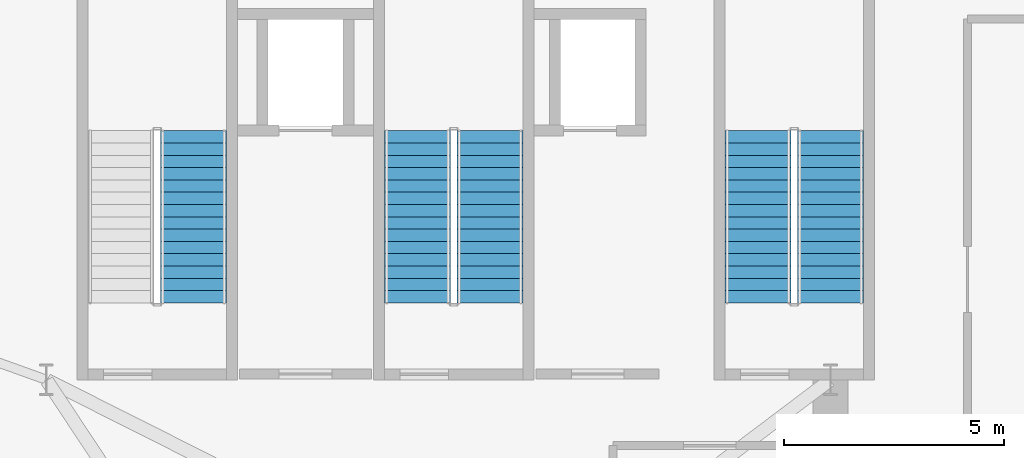
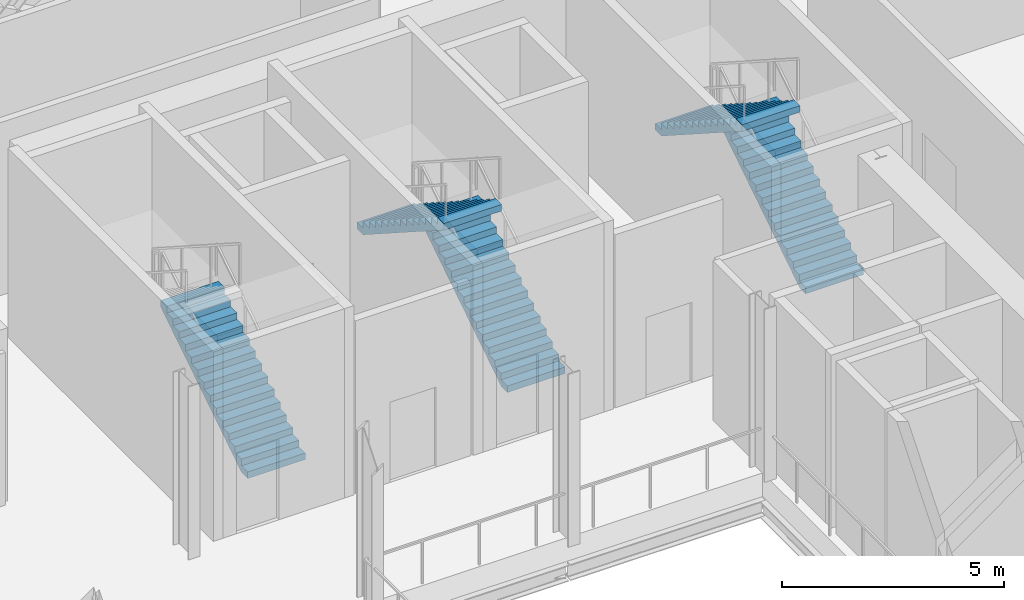
# One storey, part 11 of 14: 5 stair flights, 3 elements without a shape of their own.
"""IFC4 building model written with IfcOpenShell, lengths in metres."""

from ifc_helpers import new_model, si_unit, direction, frame, origin, place, context, subcontext, project, spatial, polyline, outline, extrude, source, transform, mapped, material, type_object, element, aggregate, save


model = new_model("IFC4")

# Units and contexts
model_context = context("Model", 3, precision=1e-05, world=origin(), true_north=direction((0.0, 1.0)))
body_context = subcontext(model_context, "Body", "Model", "MODEL_VIEW")
ifc_project = project(units=[si_unit("LENGTHUNIT", "METRE"), si_unit("AREAUNIT", "SQUARE_METRE"), si_unit("VOLUMEUNIT", "CUBIC_METRE"), si_unit("PLANEANGLEUNIT", "RADIAN"), si_unit("MASSUNIT", "GRAM", prefix="KILO")], contexts=[model_context])

# Site, building, storey
site_placement = place(None, origin())
site = spatial("IfcSite", under=ifc_project, at=site_placement, CompositionType="ELEMENT")
building_placement = place(site_placement, origin())
building = spatial("IfcBuilding", under=site, at=building_placement, Name="Vardaveli Station Tower", CompositionType="ELEMENT")
storey_placement = place(building_placement, frame((0.0, 0.0, 237.300048828125)))
storey = spatial("IfcBuildingStorey", under=building, at=storey_placement, Name="L61", CompositionType="ELEMENT", Elevation=237.300048828125)

# Stair, stair flight
ifc_material = material(Name="Concrete C40/50", Category="concrete")
stair_type = type_object("IfcStairType", Name="STR-CORE-1500", PredefinedType="HALF_TURN_STAIR", material=ifc_material)
stair_1_placement = place(storey_placement, origin())
stair_1 = element("IfcStair", 1, at=stair_1_placement, inside=storey, type_object=stair_type, Name="L61 ST-1", PredefinedType="HALF_TURN_STAIR")
stair_flight_type = type_object("IfcStairFlightType", Name="SFL-CORE-1500", PredefinedType="STRAIGHT", material=ifc_material)
shared_shape = source(origin(), body_context, "Body", "SweptSolid", [
    extrude(outline(polyline([(0.0, 0.0), (0.0, 0.179931640625), (0.280029296875, 0.179931640625), (0.280029296875, 0.360107421875), (0.56005859375, 0.360107421875), (0.56005859375, 0.5400390625), (0.840087890625, 0.5400390625), (0.840087890625, 0.719970703125), (1.1201171875, 0.719970703125), (1.1201171875, 0.89990234375), (1.39990234375, 0.89990234375), (1.39990234375, 1.080078125), (1.679931640625, 1.080078125), (1.679931640625, 1.260009765625), (1.9599609375, 1.260009765625), (1.9599609375, 1.43994140625), (2.239990234375, 1.43994140625), (2.239990234375, 1.6201171875), (2.52001953125, 1.6201171875), (2.52001953125, 1.800048828125), (2.800048828125, 1.800048828125), (2.800048828125, 1.97998046875), (3.080078125, 1.97998046875), (3.080078125, 2.159912109375), (3.360107421875, 2.159912109375), (3.360107421875, 2.340087890625), (3.639892578125, 2.340087890625), (3.639892578125, 2.52001953125), (3.919921875, 2.52001953125), (3.919921875, 2.699951171875), (3.919921875, 2.341796875), (0.277099609375, 0.0), (0.0, 0.0)])), frame((0.0, 0.75, 0.0), z_axis=(0.0, -1.0, 0.0), x_axis=(1.0, 0.0, 0.0)), (0.0, 0.0, 1.0), 1.5),
])
stair_flight_1_placement = place(storey_placement, frame((32.0, 32.39990234375, 0.0), z_axis=(0.0, 0.0, 1.0), x_axis=(0.0, 1.0, 0.0)))
stair_flight_1 = element("IfcStairFlight", 2, at=stair_flight_1_placement, type_object=stair_flight_type, Name="ST-1 flight 1", NumberOfRisers=15, NumberOfTreads=14, PredefinedType="STRAIGHT", RiserHeight=0.18, TreadLength=0.28, context=body_context, shape_type="MappedRepresentation", body=[
    mapped(shared_shape, transform((0.0, 0.0, 0.0), scale=1.0)),
])
aggregate(stair_1, [stair_flight_1])

# Stair, stair flights
stair_2_placement = place(storey_placement, origin())
stair_2 = element("IfcStair", 3, at=stair_2_placement, inside=storey, type_object=stair_type, Name="L61 ST-2", PredefinedType="HALF_TURN_STAIR")
stair_flight_2_placement = place(storey_placement, frame((38.75, 32.39990234375, 0.0), z_axis=(0.0, 0.0, 1.0), x_axis=(0.0, 1.0, 0.0)))
stair_flight_2 = element("IfcStairFlight", 4, at=stair_flight_2_placement, type_object=stair_flight_type, Name="ST-2 flight 1", NumberOfRisers=15, NumberOfTreads=14, PredefinedType="STRAIGHT", RiserHeight=0.18, TreadLength=0.28, context=body_context, shape_type="MappedRepresentation", body=[
    mapped(shared_shape, transform((0.0, 0.0, 0.0), scale=1.0)),
])
stair_flight_3_placement = place(storey_placement, frame((37.10009765625, 36.320068359375, 2.699951171875), z_axis=(0.0, 0.0, 1.0), x_axis=(0.0, -1.0, 0.0)))
stair_flight_3 = element("IfcStairFlight", 5, at=stair_flight_3_placement, type_object=stair_flight_type, Name="ST-2 flight 2", NumberOfRisers=15, NumberOfTreads=14, PredefinedType="STRAIGHT", RiserHeight=0.18, TreadLength=0.28, context=body_context, shape_type="MappedRepresentation", body=[
    mapped(shared_shape, transform((0.0, 0.0, 0.0), scale=1.0)),
])
aggregate(stair_2, [stair_flight_2, stair_flight_3])

stair_3_placement = place(storey_placement, origin())
stair_3 = element("IfcStair", 6, at=stair_3_placement, inside=storey, type_object=stair_type, Name="L61 ST-3", PredefinedType="HALF_TURN_STAIR")
stair_flight_4_placement = place(storey_placement, frame((46.5, 32.39990234375, 0.0), z_axis=(0.0, 0.0, 1.0), x_axis=(0.0, 1.0, 0.0)))
stair_flight_4 = element("IfcStairFlight", 7, at=stair_flight_4_placement, type_object=stair_flight_type, Name="ST-3 flight 1", NumberOfRisers=15, NumberOfTreads=14, PredefinedType="STRAIGHT", RiserHeight=0.18, TreadLength=0.28, context=body_context, shape_type="MappedRepresentation", body=[
    mapped(shared_shape, transform((0.0, 0.0, 0.0), scale=1.0)),
])
stair_flight_5_placement = place(storey_placement, frame((44.85009765625, 36.320068359375, 2.699951171875), z_axis=(0.0, 0.0, 1.0), x_axis=(0.0, -1.0, 0.0)))
stair_flight_5 = element("IfcStairFlight", 8, at=stair_flight_5_placement, type_object=stair_flight_type, Name="ST-3 flight 2", NumberOfRisers=15, NumberOfTreads=14, PredefinedType="STRAIGHT", RiserHeight=0.18, TreadLength=0.28, context=body_context, shape_type="MappedRepresentation", body=[
    mapped(shared_shape, transform((0.0, 0.0, 0.0), scale=1.0)),
])
aggregate(stair_3, [stair_flight_4, stair_flight_5])

save(model, "model.ifc")
